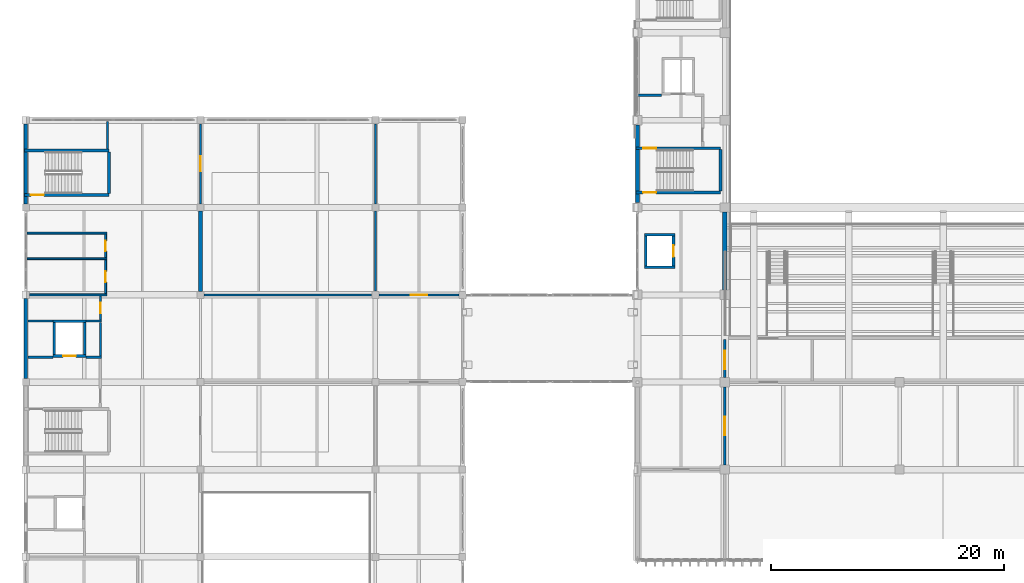
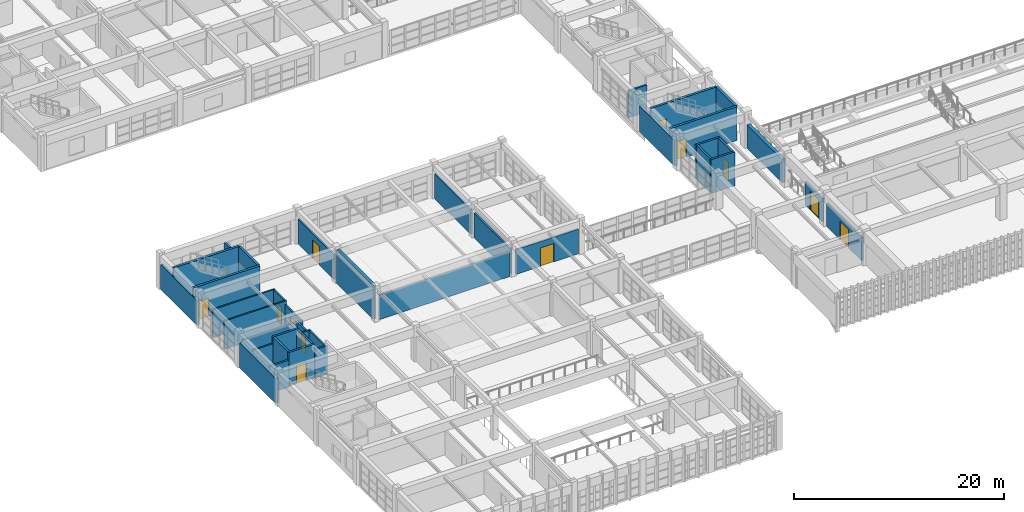
# One storey, part 93 of 124: 39 walls, 12 doors, 12 openings.
"""IFC4 building model written with IfcOpenShell, lengths in metres."""

from ifc_helpers import new_model, si_unit, direction, frame, frame_2d, origin, place, context, subcontext, project, spatial, rectangle, extrude, material, layer, layer_set, type_object, element, fill, save


model = new_model("IFC4")

# Units and contexts
model_context = context("Model", 3, precision=1e-05, world=origin(), true_north=direction((0.0, 1.0)))
body_context = subcontext(model_context, "Body", "Model", "MODEL_VIEW")
ifc_project = project(units=[si_unit("LENGTHUNIT", "METRE"), si_unit("AREAUNIT", "SQUARE_METRE"), si_unit("VOLUMEUNIT", "CUBIC_METRE"), si_unit("PLANEANGLEUNIT", "RADIAN"), si_unit("MASSUNIT", "GRAM", prefix="KILO")], contexts=[model_context])

# Site, building, storey
site_placement = place(None, origin())
site = spatial("IfcSite", under=ifc_project, at=site_placement, CompositionType="ELEMENT")
building_placement = place(site_placement, origin())
building = spatial("IfcBuilding", under=site, at=building_placement, Name="Qasida Concert Hall", CompositionType="ELEMENT")
storey_placement = place(building_placement, frame((0.0, 0.0, 9.0)))
storey = spatial("IfcBuildingStorey", under=building, at=storey_placement, Name="L02", CompositionType="ELEMENT", Elevation=9.0)

# Walls
ifc_material_1 = material(Name="Concrete C40/50", Category="concrete")
ifc_layer_1 = layer(ifc_material_1, 0.219970703125, Name="Concrete C40/50")
ifc_layer_set_1 = layer_set([ifc_layer_1], Name="Concrete C40/50")
wall_type_1 = type_object("IfcWallType", Name="WL-CW-220", PredefinedType="SOLIDWALL", material=ifc_layer_set_1)
for number, where, z_axis, x_axis, name in (
    (1, (53.090087890625, 39.85009765625, 0.0), (0.0, 0.0, 1.0), (1.0, 0.0, 0.0), "L02 LF-01 lift shaft wall S"),
    (2, (53.090087890625, 42.64990234375, 0.0), (0.0, 0.0, 1.0), (1.0, 0.0, 0.0), "L02 LF-01 lift shaft wall N"),
):
    element("IfcWall", number, at=place(storey_placement, frame(where, z_axis=z_axis, x_axis=x_axis)), inside=storey, type_object=wall_type_1, Name=name, PredefinedType="SOLIDWALL", context=body_context, shape_type="SweptSolid", body=[
        extrude(rectangle(XDim=2.619873046875, YDim=0.219970703125, at=frame_2d((1.31005859375, 0.0))), origin(), (0.0, 0.0, 1.0), 3.919921875),
    ])
wall_1_placement = place(storey_placement, frame((53.199951171875, 39.9599609375, 0.0), z_axis=(0.0, 0.0, 1.0), x_axis=(0.0, 1.0, 0.0)))
element("IfcWall", 3, at=wall_1_placement, inside=storey, type_object=wall_type_1, Name="L02 LF-01 lift shaft wall W", PredefinedType="SOLIDWALL", context=body_context, shape_type="SweptSolid", body=[
    extrude(rectangle(XDim=2.580078125, YDim=0.219970703125, at=frame_2d((1.2900390625, 0.0))), origin(), (0.0, 0.0, 1.0), 3.919921875),
])

# Wall, opening, door
wall_2_placement = place(storey_placement, frame((55.60009765625, 39.9599609375, 0.0), z_axis=(0.0, 0.0, 1.0), x_axis=(0.0, 1.0, 0.0)))
wall_2 = element("IfcWall", 4, at=wall_2_placement, inside=storey, type_object=wall_type_1, Name="L02 LF-01 lift shaft wall E", PredefinedType="SOLIDWALL", context=body_context, shape_type="SweptSolid", body=[
    extrude(rectangle(XDim=2.580078125, YDim=0.219970703125, at=frame_2d((1.2900390625, 0.0))), origin(), (0.0, 0.0, 1.0), 3.919921875),
])
opening_1_placement = place(wall_2_placement, frame((0.7900390625, 0.0, 0.0)))
opening_1 = element("IfcOpeningElement", 5, at=opening_1_placement, cuts=wall_2, Name="Opening LD-100", PredefinedType="OPENING", context=body_context, shape_type="SweptSolid", body=[
    extrude(rectangle(XDim=1.0, YDim=2.14990234375, at=frame_2d((0.5, 1.074951171875))), frame((0.0, 0.119873046875, 0.0), z_axis=(0.0, -1.0, 0.0), x_axis=(1.0, 0.0, 0.0)), (0.0, 0.0, 1.0), 0.239990234375),
])
ifc_material_2 = material(Name="Brushed bronze passenger lift landing door", Category="steel")
door_type_1 = type_object("IfcDoorType", Name="LD-100", OperationType="SLIDING_TO_LEFT", PredefinedType="DOOR", material=ifc_material_2)
door_1_placement = place(opening_1_placement, origin())
door_1 = element("IfcDoor", 6, at=door_1_placement, inside=storey, type_object=door_type_1, Name="Lift landing door LF-01 L02", OperationType="SLIDING_TO_LEFT", OverallHeight=2.14990234375, OverallWidth=1.0, PredefinedType="DOOR", context=body_context, shape_type="SweptSolid", body=[
    extrude(rectangle(XDim=1.0, YDim=2.14990234375, at=frame_2d((0.5, 1.074951171875))), frame((0.0, 0.02490234375, 0.0), z_axis=(0.0, -1.0, 0.0), x_axis=(1.0, 0.0, 0.0)), (0.0, 0.0, 1.0), 0.050048828125),
])
fill(opening_1, door_1)

wall_3_placement = place(storey_placement, frame((2.340087890625, 32.25, 0.0), z_axis=(0.0, 0.0, 1.0), x_axis=(1.0, 0.0, 0.0)))
wall_3 = element("IfcWall", 7, at=wall_3_placement, inside=storey, type_object=wall_type_1, Name="L02 LF-06 lift shaft wall S", PredefinedType="SOLIDWALL", context=body_context, shape_type="SweptSolid", body=[
    extrude(rectangle(XDim=2.81982421875, YDim=0.219970703125, at=frame_2d((1.409912109375, 0.0))), origin(), (0.0, 0.0, 1.0), 3.919921875),
])
opening_2_placement = place(wall_3_placement, frame((0.860107421875, 0.0, 0.0)))
opening_2 = element("IfcOpeningElement", 8, at=opening_2_placement, cuts=wall_3, Name="Opening LD-110", PredefinedType="OPENING", context=body_context, shape_type="SweptSolid", body=[
    extrude(rectangle(XDim=1.10009765625, YDim=2.14990234375, at=frame_2d((0.550048828125, 1.074951171875))), frame((0.0, 0.119873046875, 0.0), z_axis=(0.0, -1.0, 0.0), x_axis=(1.0, 0.0, 0.0)), (0.0, 0.0, 1.0), 0.239990234375),
])
ifc_material_3 = material(Name="Firefighting lift sliding landing door", Category="steel")
door_type_2 = type_object("IfcDoorType", Name="LD-110", OperationType="SLIDING_TO_LEFT", PredefinedType="DOOR", material=ifc_material_3)
door_2_placement = place(opening_2_placement, origin())
door_2 = element("IfcDoor", 9, at=door_2_placement, inside=storey, type_object=door_type_2, Name="Lift landing door LF-06 L02", OperationType="SLIDING_TO_LEFT", OverallHeight=2.14990234375, OverallWidth=1.10009765625, PredefinedType="DOOR", context=body_context, shape_type="SweptSolid", body=[
    extrude(rectangle(XDim=1.10009765625, YDim=2.14990234375, at=frame_2d((0.550048828125, 1.074951171875))), frame((0.0, 0.02490234375, 0.0), z_axis=(0.0, -1.0, 0.0), x_axis=(1.0, 0.0, 0.0)), (0.0, 0.0, 1.0), 0.050048828125),
])
fill(opening_2, door_2)

# Walls
wall_4_placement = place(storey_placement, frame((2.340087890625, 35.25, 0.0), z_axis=(0.0, 0.0, 1.0), x_axis=(1.0, 0.0, 0.0)))
element("IfcWall", 10, at=wall_4_placement, inside=storey, type_object=wall_type_1, Name="L02 LF-06 lift shaft wall N", PredefinedType="SOLIDWALL", context=body_context, shape_type="SweptSolid", body=[
    extrude(rectangle(XDim=2.81982421875, YDim=0.219970703125, at=frame_2d((1.409912109375, 0.0))), origin(), (0.0, 0.0, 1.0), 3.919921875),
])
for number, where, z_axis, x_axis, name in (
    (11, (2.449951171875, 32.360107421875, 0.0), (0.0, 0.0, 1.0), (0.0, 1.0, 0.0), "L02 LF-06 lift shaft wall W"),
    (12, (5.050048828125, 32.360107421875, 0.0), (0.0, 0.0, 1.0), (0.0, 1.0, 0.0), "L02 LF-06 lift shaft wall E"),
):
    element("IfcWall", number, at=place(storey_placement, frame(where, z_axis=z_axis, x_axis=x_axis)), inside=storey, type_object=wall_type_1, Name=name, PredefinedType="SOLIDWALL", context=body_context, shape_type="SweptSolid", body=[
        extrude(rectangle(XDim=2.77978515625, YDim=0.219970703125, at=frame_2d((1.389892578125, 0.0))), origin(), (0.0, 0.0, 1.0), 3.919921875),
    ])

# Wall, opening, door
ifc_layer_2 = layer(ifc_material_1, 0.25, Name="Concrete C40/50")
ifc_layer_set_2 = layer_set([ifc_layer_2], Name="Concrete C40/50")
wall_type_2 = type_object("IfcWallType", Name="WL-CW-250", PredefinedType="SOLIDWALL", material=ifc_layer_set_2)
wall_5_placement = place(storey_placement, frame((52.3798828125, 46.27490234375, 0.0), z_axis=(0.0, 0.0, 1.0), x_axis=(1.0, 0.0, 0.0)))
wall_5 = element("IfcWall", 13, at=wall_5_placement, inside=storey, type_object=wall_type_2, Name="L02 ST-01 stairwell wall S", PredefinedType="SOLIDWALL", context=body_context, shape_type="SweptSolid", body=[
    extrude(rectangle(XDim=7.260009765625, YDim=0.25, at=frame_2d((3.6298828125, 0.0))), origin(), (0.0, 0.0, 1.0), 3.919921875),
])
opening_3_placement = place(wall_5_placement, frame((0.6201171875, 0.0, 0.0)))
opening_3 = element("IfcOpeningElement", 14, at=opening_3_placement, cuts=wall_5, Name="Opening FD-110", PredefinedType="OPENING", context=body_context, shape_type="SweptSolid", body=[
    extrude(rectangle(XDim=1.10009765625, YDim=2.14990234375, at=frame_2d((0.550048828125, 1.074951171875))), frame((0.0, 0.135009765625, 0.0), z_axis=(0.0, -1.0, 0.0), x_axis=(1.0, 0.0, 0.0)), (0.0, 0.0, 1.0), 0.27001953125),
])
ifc_material_4 = material(Name="Steel fire-rated stair/lobby door set", Category="steel")
door_type_3 = type_object("IfcDoorType", Name="FD-110", OperationType="NOTDEFINED", PredefinedType="DOOR", material=ifc_material_4)
door_3_placement = place(opening_3_placement, origin())
door_3 = element("IfcDoor", 15, at=door_3_placement, inside=storey, type_object=door_type_3, Name="L02 ST-01 rated stair door", OperationType="SINGLE_SWING_LEFT", OverallHeight=2.14990234375, OverallWidth=1.10009765625, PredefinedType="DOOR", context=body_context, shape_type="SweptSolid", body=[
    extrude(rectangle(XDim=1.10009765625, YDim=2.14990234375, at=frame_2d((0.550048828125, 1.074951171875))), frame((0.0, 0.02490234375, 0.0), z_axis=(0.0, -1.0, 0.0), x_axis=(1.0, 0.0, 0.0)), (0.0, 0.0, 1.0), 0.050048828125),
])
fill(opening_3, door_3)

wall_6_placement = place(storey_placement, frame((52.3798828125, 50.0849609375, 0.0), z_axis=(0.0, 0.0, 1.0), x_axis=(1.0, 0.0, 0.0)))
wall_6 = element("IfcWall", 16, at=wall_6_placement, inside=storey, type_object=wall_type_2, Name="L02 ST-01 stairwell wall N", PredefinedType="SOLIDWALL", context=body_context, shape_type="SweptSolid", body=[
    extrude(rectangle(XDim=7.260009765625, YDim=0.25, at=frame_2d((3.6298828125, 0.0))), origin(), (0.0, 0.0, 1.0), 3.919921875),
])
opening_4_placement = place(wall_6_placement, frame((0.6201171875, 0.0, 0.0)))
opening_4 = element("IfcOpeningElement", 17, at=opening_4_placement, cuts=wall_6, Name="Opening FD-110", PredefinedType="OPENING", context=body_context, shape_type="SweptSolid", body=[
    extrude(rectangle(XDim=1.10009765625, YDim=2.14990234375, at=frame_2d((0.550048828125, 1.074951171875))), frame((0.0, 0.135009765625, 0.0), z_axis=(0.0, -1.0, 0.0), x_axis=(1.0, 0.0, 0.0)), (0.0, 0.0, 1.0), 0.27001953125),
])
door_4_placement = place(opening_4_placement, frame((1.10009765625, 0.0, 0.0), z_axis=(0.0, 0.0, 1.0), x_axis=(-1.0, 0.0, 0.0)))
door_4 = element("IfcDoor", 18, at=door_4_placement, inside=storey, type_object=door_type_3, Name="L02 ST-01 rated stair door", OperationType="SINGLE_SWING_RIGHT", OverallHeight=2.14990234375, OverallWidth=1.10009765625, PredefinedType="DOOR", context=body_context, shape_type="SweptSolid", body=[
    extrude(rectangle(XDim=1.10009765625, YDim=2.14990234375, at=frame_2d((0.550048828125, 1.074951171875))), frame((0.0, 0.02490234375, 0.0), z_axis=(0.0, -1.0, 0.0), x_axis=(1.0, 0.0, 0.0)), (0.0, 0.0, 1.0), 0.050048828125),
])
fill(opening_4, door_4)

# Wall
wall_7_placement = place(storey_placement, frame((59.64501953125, 46.39990234375, 0.0), z_axis=(0.0, 0.0, 1.0), x_axis=(0.0, 1.0, 0.0)))
element("IfcWall", 19, at=wall_7_placement, inside=storey, type_object=wall_type_2, Name="L02 ST-01 stairwell wall E", PredefinedType="SOLIDWALL", context=body_context, shape_type="SweptSolid", body=[
    extrude(rectangle(XDim=3.56005859375, YDim=0.25, at=frame_2d((1.780029296875, 0.0))), origin(), (0.0, 0.0, 1.0), 3.919921875),
])

# Wall, opening, door
wall_8_placement = place(storey_placement, frame((-0.1201171875, 46.074951171875, 0.0), z_axis=(0.0, 0.0, 1.0), x_axis=(1.0, 0.0, 0.0)))
wall_8 = element("IfcWall", 20, at=wall_8_placement, inside=storey, type_object=wall_type_2, Name="L02 ST-04 stairwell wall S", PredefinedType="SOLIDWALL", context=body_context, shape_type="SweptSolid", body=[
    extrude(rectangle(XDim=7.260009765625, YDim=0.25, at=frame_2d((3.6298828125, 0.0))), origin(), (0.0, 0.0, 1.0), 3.919921875),
])
opening_5_placement = place(wall_8_placement, frame((0.56005859375, 0.0, 0.0)))
opening_5 = element("IfcOpeningElement", 21, at=opening_5_placement, cuts=wall_8, Name="Opening FD-110", PredefinedType="OPENING", context=body_context, shape_type="SweptSolid", body=[
    extrude(rectangle(XDim=1.10009765625, YDim=2.14990234375, at=frame_2d((0.550048828125, 1.074951171875))), frame((0.0, 0.135009765625, 0.0), z_axis=(0.0, -1.0, 0.0), x_axis=(1.0, 0.0, 0.0)), (0.0, 0.0, 1.0), 0.27001953125),
])
door_5_placement = place(opening_5_placement, origin())
door_5 = element("IfcDoor", 22, at=door_5_placement, inside=storey, type_object=door_type_3, Name="L02 ST-04 rated stair door", OperationType="SINGLE_SWING_RIGHT", OverallHeight=2.14990234375, OverallWidth=1.10009765625, PredefinedType="DOOR", context=body_context, shape_type="SweptSolid", body=[
    extrude(rectangle(XDim=1.10009765625, YDim=2.14990234375, at=frame_2d((0.550048828125, 1.074951171875))), frame((0.0, 0.02490234375, 0.0), z_axis=(0.0, -1.0, 0.0), x_axis=(1.0, 0.0, 0.0)), (0.0, 0.0, 1.0), 0.050048828125),
])
fill(opening_5, door_5)

# Walls
wall_9_placement = place(storey_placement, frame((-0.1201171875, 49.885009765625, 0.0), z_axis=(0.0, 0.0, 1.0), x_axis=(1.0, 0.0, 0.0)))
element("IfcWall", 23, at=wall_9_placement, inside=storey, type_object=wall_type_2, Name="L02 ST-04 stairwell wall N", PredefinedType="SOLIDWALL", context=body_context, shape_type="SweptSolid", body=[
    extrude(rectangle(XDim=7.260009765625, YDim=0.25, at=frame_2d((3.6298828125, 0.0))), origin(), (0.0, 0.0, 1.0), 3.919921875),
])
wall_10_placement = place(storey_placement, frame((7.14501953125, 46.199951171875, 0.0), z_axis=(0.0, 0.0, 1.0), x_axis=(0.0, 1.0, 0.0)))
element("IfcWall", 24, at=wall_10_placement, inside=storey, type_object=wall_type_2, Name="L02 ST-04 stairwell wall E", PredefinedType="SOLIDWALL", context=body_context, shape_type="SweptSolid", body=[
    extrude(rectangle(XDim=3.56005859375, YDim=0.25, at=frame_2d((1.780029296875, 0.0))), origin(), (0.0, 0.0, 1.0), 3.919921875),
])
ifc_material_5 = material(Name="Precast concrete C40/50", Category="concrete")
ifc_layer_3 = layer(ifc_material_5, 0.320068359375, Name="Precast concrete C40/50")
ifc_layer_set_3 = layer_set([ifc_layer_3], Name="Precast concrete C40/50")
wall_type_3 = type_object("IfcWallType", Name="WL-EW-320", PredefinedType="SOLIDWALL", material=ifc_layer_set_3)
wall_11_placement = place(storey_placement, frame((52.5, 45.4150390625, 0.0), z_axis=(0.0, 0.0, 1.0), x_axis=(0.0, 1.0, 0.0)))
element("IfcWall", 25, at=wall_11_placement, inside=storey, type_object=wall_type_3, Name="L02 exterior wall EW-320 0048", PredefinedType="SOLIDWALL", context=body_context, shape_type="SweptSolid", body=[
    extrude(rectangle(XDim=6.669921875, YDim=0.320068359375, at=frame_2d((3.3349609375, 0.0))), origin(), (0.0, 0.0, 1.0), 2.969970703125),
])
for number, where, z_axis, x_axis, name in (
    (26, (0.0, 30.31494140625, 0.0), (0.0, 0.0, 1.0), (0.0, 1.0, 0.0), "L02 exterior wall EW-320 0131"),
    (27, (0.0, 45.31494140625, 0.0), (0.0, 0.0, 1.0), (0.0, 1.0, 0.0), "L02 exterior wall EW-320 0132"),
):
    element("IfcWall", number, at=place(storey_placement, frame(where, z_axis=z_axis, x_axis=x_axis)), inside=storey, type_object=wall_type_3, Name=name, PredefinedType="SOLIDWALL", context=body_context, shape_type="SweptSolid", body=[
        extrude(rectangle(XDim=6.8701171875, YDim=0.320068359375, at=frame_2d((3.43505859375, 0.0))), origin(), (0.0, 0.0, 1.0), 2.8701171875),
    ])
ifc_material_6 = material(Name="Moisture-resistant gypsum partition", Category="gypsum")
ifc_layer_4 = layer(ifc_material_6, 0.159912109375, Name="Moisture-resistant gypsum partition")
ifc_layer_set_4 = layer_set([ifc_layer_4], Name="Moisture-resistant gypsum partition")
wall_type_4 = type_object("IfcWallType", Name="WL-PW-160", PredefinedType="PARTITIONING", material=ifc_layer_set_4)
wall_12_placement = place(storey_placement, frame((0.31396484375, 37.5, 0.0), z_axis=(0.0, 0.0, 1.0), x_axis=(1.0, 0.0, 0.0)))
element("IfcWall", 28, at=wall_12_placement, inside=storey, type_object=wall_type_4, Name="L02 partition PW-160 0136", PredefinedType="PARTITIONING", context=body_context, shape_type="SweptSolid", body=[
    extrude(rectangle(XDim=6.635986328125, YDim=0.159912109375, at=frame_2d((3.31787109375, 0.0))), origin(), (0.0, 0.0, 1.0), 2.8701171875),
])
for number, where, z_axis, x_axis, name in (
    (29, (0.112060546875, 40.60009765625, 0.0), (0.0, 0.0, 1.0), (1.0, 0.0, 0.0), "L02 partition PW-160 0140"),
    (30, (0.112060546875, 42.800048828125, 0.0), (0.0, 0.0, 1.0), (1.0, 0.0, 0.0), "L02 partition PW-160 0141"),
):
    element("IfcWall", number, at=place(storey_placement, frame(where, z_axis=z_axis, x_axis=x_axis)), inside=storey, type_object=wall_type_4, Name=name, PredefinedType="PARTITIONING", context=body_context, shape_type="SweptSolid", body=[
        extrude(rectangle(XDim=6.837890625, YDim=0.159912109375, at=frame_2d((3.4189453125, 0.0))), origin(), (0.0, 0.0, 1.0), 3.27001953125),
    ])

# Wall, opening, door
wall_13_placement = place(storey_placement, frame((6.85009765625, 37.593994140625, 0.0), z_axis=(0.0, 0.0, 1.0), x_axis=(0.0, 1.0, 0.0)))
wall_13 = element("IfcWall", 31, at=wall_13_placement, inside=storey, type_object=wall_type_4, Name="L02 partition PW-160 0142", PredefinedType="PARTITIONING", context=body_context, shape_type="SweptSolid", body=[
    extrude(rectangle(XDim=2.912109375, YDim=0.159912109375, at=frame_2d((1.4560546875, 0.0))), origin(), (0.0, 0.0, 1.0), 2.8701171875),
])
opening_6_placement = place(wall_13_placement, frame((0.98095703125, 0.0, 0.0)))
opening_6 = element("IfcOpeningElement", 32, at=opening_6_placement, cuts=wall_13, Name="Opening ID-095", PredefinedType="OPENING", context=body_context, shape_type="SweptSolid", body=[
    extrude(rectangle(XDim=0.949951171875, YDim=2.10009765625, at=frame_2d((0.47509765625, 1.050048828125))), frame((0.0, 0.08984375, 0.0), z_axis=(0.0, -1.0, 0.0), x_axis=(1.0, 0.0, 0.0)), (0.0, 0.0, 1.0), 0.179931640625),
])
ifc_material_7 = material(Name="Quarter-sawn oak accessible WC door", Category="wood")
door_type_4 = type_object("IfcDoorType", Name="ID-095", OperationType="NOTDEFINED", PredefinedType="DOOR", material=ifc_material_7)
door_6_placement = place(opening_6_placement, origin())
door_6 = element("IfcDoor", 33, at=door_6_placement, inside=storey, type_object=door_type_4, Name="L02 Accessible WC door", OperationType="SINGLE_SWING_RIGHT", OverallHeight=2.10009765625, OverallWidth=0.949951171875, PredefinedType="DOOR", context=body_context, shape_type="SweptSolid", body=[
    extrude(rectangle(XDim=0.949951171875, YDim=2.10009765625, at=frame_2d((0.47509765625, 1.050048828125))), frame((0.0, 0.02490234375, 0.0), z_axis=(0.0, -1.0, 0.0), x_axis=(1.0, 0.0, 0.0)), (0.0, 0.0, 1.0), 0.050048828125),
])
fill(opening_6, door_6)

wall_14_placement = place(storey_placement, frame((6.85009765625, 40.694091796875, 0.0), z_axis=(0.0, 0.0, 1.0), x_axis=(0.0, 1.0, 0.0)))
wall_14 = element("IfcWall", 34, at=wall_14_placement, inside=storey, type_object=wall_type_4, Name="L02 partition PW-160 0143", PredefinedType="PARTITIONING", context=body_context, shape_type="SweptSolid", body=[
    extrude(rectangle(XDim=2.011962890625, YDim=0.159912109375, at=frame_2d((1.005859375, 0.0))), origin(), (0.0, 0.0, 1.0), 3.27001953125),
])
opening_7_placement = place(wall_14_placement, frame((0.555908203125, 0.0, 0.0)))
opening_7 = element("IfcOpeningElement", 35, at=opening_7_placement, cuts=wall_14, Name="Opening ID-090", PredefinedType="OPENING", context=body_context, shape_type="SweptSolid", body=[
    extrude(rectangle(XDim=0.89990234375, YDim=2.10009765625, at=frame_2d((0.449951171875, 1.050048828125))), frame((0.0, 0.08984375, 0.0), z_axis=(0.0, -1.0, 0.0), x_axis=(1.0, 0.0, 0.0)), (0.0, 0.0, 1.0), 0.179931640625),
])
ifc_material_8 = material(Name="Quarter-sawn oak flush room door", Category="wood")
door_type_5 = type_object("IfcDoorType", Name="ID-090", OperationType="NOTDEFINED", PredefinedType="DOOR", material=ifc_material_8)
door_7_placement = place(opening_7_placement, origin())
door_7 = element("IfcDoor", 36, at=door_7_placement, inside=storey, type_object=door_type_5, Name="L02 Family care suite door", OperationType="SINGLE_SWING_LEFT", OverallHeight=2.10009765625, OverallWidth=0.89990234375, PredefinedType="DOOR", context=body_context, shape_type="SweptSolid", body=[
    extrude(rectangle(XDim=0.89990234375, YDim=2.10009765625, at=frame_2d((0.449951171875, 1.050048828125))), frame((0.0, 0.02490234375, 0.0), z_axis=(0.0, -1.0, 0.0), x_axis=(1.0, 0.0, 0.0)), (0.0, 0.0, 1.0), 0.050048828125),
])
fill(opening_7, door_7)

# Walls
ifc_material_9 = material(Name="Acoustic metal-stud gypsum partition", Category="gypsum")
ifc_layer_5 = layer(ifc_material_9, 0.179931640625, Name="Acoustic metal-stud gypsum partition")
ifc_layer_set_5 = layer_set([ifc_layer_5], Name="Acoustic metal-stud gypsum partition")
wall_type_5 = type_object("IfcWallType", Name="WL-PW-180", PredefinedType="PARTITIONING", material=ifc_layer_set_5)
wall_15_placement = place(storey_placement, frame((0.174072265625, 35.25, 0.0), z_axis=(0.0, 0.0, 1.0), x_axis=(1.0, 0.0, 0.0)))
element("IfcWall", 37, at=wall_15_placement, inside=storey, type_object=wall_type_5, Name="L02 partition PW-180 0134", PredefinedType="PARTITIONING", context=body_context, shape_type="SweptSolid", body=[
    extrude(rectangle(XDim=2.166015625, YDim=0.179931640625, at=frame_2d((1.0830078125, 0.0))), origin(), (0.0, 0.0, 1.0), 3.1201171875),
])
wall_16_placement = place(storey_placement, frame((5.159912109375, 35.25, 0.0), z_axis=(0.0, 0.0, 1.0), x_axis=(1.0, 0.0, 0.0)))
element("IfcWall", 38, at=wall_16_placement, inside=storey, type_object=wall_type_5, Name="L02 partition PW-180 0135", PredefinedType="PARTITIONING", context=body_context, shape_type="SweptSolid", body=[
    extrude(rectangle(XDim=1.340087890625, YDim=0.179931640625, at=frame_2d((0.669921875, 0.0))), origin(), (0.0, 0.0, 1.0), 3.27001953125),
])
wall_17_placement = place(storey_placement, frame((6.39990234375, 32.243896484375, 0.0), z_axis=(0.0, 0.0, 1.0), x_axis=(0.0, 1.0, 0.0)))
element("IfcWall", 39, at=wall_17_placement, inside=storey, type_object=wall_type_5, Name="L02 partition PW-180 0137", PredefinedType="PARTITIONING", context=body_context, shape_type="SweptSolid", body=[
    extrude(rectangle(XDim=2.902099609375, YDim=0.179931640625, at=frame_2d((1.451171875, 0.0))), origin(), (0.0, 0.0, 1.0), 3.27001953125),
])

# Wall, opening, door
wall_18_placement = place(storey_placement, frame((6.39990234375, 35.35400390625, 0.0), z_axis=(0.0, 0.0, 1.0), x_axis=(0.0, 1.0, 0.0)))
wall_18 = element("IfcWall", 40, at=wall_18_placement, inside=storey, type_object=wall_type_5, Name="L02 partition PW-180 0138", PredefinedType="PARTITIONING", context=body_context, shape_type="SweptSolid", body=[
    extrude(rectangle(XDim=2.052001953125, YDim=0.179931640625, at=frame_2d((1.02587890625, 0.0))), origin(), (0.0, 0.0, 1.0), 2.8701171875),
])
opening_8_placement = place(wall_18_placement, frame((0.5458984375, 0.0, 0.0)))
opening_8 = element("IfcOpeningElement", 41, at=opening_8_placement, cuts=wall_18, Name="Opening ID-090", PredefinedType="OPENING", context=body_context, shape_type="SweptSolid", body=[
    extrude(rectangle(XDim=0.89990234375, YDim=2.10009765625, at=frame_2d((0.449951171875, 1.050048828125))), frame((0.0, 0.099853515625, 0.0), z_axis=(0.0, -1.0, 0.0), x_axis=(1.0, 0.0, 0.0)), (0.0, 0.0, 1.0), 0.199951171875),
])
door_8_placement = place(opening_8_placement, origin())
door_8 = element("IfcDoor", 42, at=door_8_placement, inside=storey, type_object=door_type_5, Name="L02 Custodial service room door", OperationType="SINGLE_SWING_LEFT", OverallHeight=2.10009765625, OverallWidth=0.89990234375, PredefinedType="DOOR", context=body_context, shape_type="SweptSolid", body=[
    extrude(rectangle(XDim=0.89990234375, YDim=2.10009765625, at=frame_2d((0.449951171875, 1.050048828125))), frame((0.0, 0.02490234375, 0.0), z_axis=(0.0, -1.0, 0.0), x_axis=(1.0, 0.0, 0.0)), (0.0, 0.0, 1.0), 0.050048828125),
])
fill(opening_8, door_8)

# Walls
wall_19_placement = place(storey_placement, frame((7.02001953125, 50.02392578125, 0.0), z_axis=(0.0, 0.0, 1.0), x_axis=(0.0, 1.0, 0.0)))
element("IfcWall", 43, at=wall_19_placement, inside=storey, type_object=wall_type_5, Name="L02 partition PW-180 0139", PredefinedType="PARTITIONING", context=body_context, shape_type="SweptSolid", body=[
    extrude(rectangle(XDim=2.364013671875, YDim=0.179931640625, at=frame_2d((1.18212890625, 0.0))), origin(), (0.0, 0.0, 1.0), 2.8701171875),
])
wall_20_placement = place(storey_placement, frame((15.31396484375, 37.5, 0.0), z_axis=(0.0, 0.0, 1.0), x_axis=(1.0, 0.0, 0.0)))
element("IfcWall", 44, at=wall_20_placement, inside=storey, type_object=wall_type_5, Name="L02 partition PW-180 0204", PredefinedType="PARTITIONING", context=body_context, shape_type="SweptSolid", body=[
    extrude(rectangle(XDim=14.3720703125, YDim=0.179931640625, at=frame_2d((7.18603515625, 0.0))), origin(), (0.0, 0.0, 1.0), 2.8701171875),
])

# Wall, opening, door
wall_21_placement = place(storey_placement, frame((30.31396484375, 37.5, 0.0), z_axis=(0.0, 0.0, 1.0), x_axis=(1.0, 0.0, 0.0)))
wall_21 = element("IfcWall", 45, at=wall_21_placement, inside=storey, type_object=wall_type_5, Name="L02 partition PW-180 0205", PredefinedType="PARTITIONING", context=body_context, shape_type="SweptSolid", body=[
    extrude(rectangle(XDim=6.8720703125, YDim=0.179931640625, at=frame_2d((3.43603515625, 0.0))), origin(), (0.0, 0.0, 1.0), 2.8701171875),
])
opening_9_placement = place(wall_21_placement, frame((2.7109375, 0.0, 0.0)))
opening_9 = element("IfcOpeningElement", 46, at=opening_9_placement, cuts=wall_21, Name="Opening ID-145", PredefinedType="OPENING", context=body_context, shape_type="SweptSolid", body=[
    extrude(rectangle(XDim=1.449951171875, YDim=2.14990234375, at=frame_2d((0.72509765625, 1.074951171875))), frame((0.0, 0.099853515625, 0.0), z_axis=(0.0, -1.0, 0.0), x_axis=(1.0, 0.0, 0.0)), (0.0, 0.0, 1.0), 0.199951171875),
])
ifc_material_10 = material(Name="Bronze-framed glazed education door", Category="aluminium")
door_type_6 = type_object("IfcDoorType", Name="ID-145", OperationType="NOTDEFINED", PredefinedType="DOOR", material=ifc_material_10)
door_9_placement = place(opening_9_placement, origin())
door_9 = element("IfcDoor", 47, at=door_9_placement, inside=storey, type_object=door_type_6, Name="L02 Education room 2 door", OperationType="SINGLE_SWING_RIGHT", OverallHeight=2.14990234375, OverallWidth=1.449951171875, PredefinedType="DOOR", context=body_context, shape_type="SweptSolid", body=[
    extrude(rectangle(XDim=1.449951171875, YDim=2.14990234375, at=frame_2d((0.72509765625, 1.074951171875))), frame((0.0, 0.02490234375, 0.0), z_axis=(0.0, -1.0, 0.0), x_axis=(1.0, 0.0, 0.0)), (0.0, 0.0, 1.0), 0.050048828125),
])
fill(opening_9, door_9)

# Walls
for number, where, z_axis, x_axis, name in (
    (48, (30.0, 37.81396484375, 0.0), (0.0, 0.0, 1.0), (0.0, 1.0, 0.0), "L02 partition PW-180 0208"),
    (49, (30.0, 45.31396484375, 0.0), (0.0, 0.0, 1.0), (0.0, 1.0, 0.0), "L02 partition PW-180 0209"),
):
    element("IfcWall", number, at=place(storey_placement, frame(where, z_axis=z_axis, x_axis=x_axis)), inside=storey, type_object=wall_type_5, Name=name, PredefinedType="PARTITIONING", context=body_context, shape_type="SweptSolid", body=[
        extrude(rectangle(XDim=6.8720703125, YDim=0.179931640625, at=frame_2d((3.43603515625, 0.0))), origin(), (0.0, 0.0, 1.0), 2.8701171875),
    ])

# Wall, opening, door
wall_22_placement = place(storey_placement, frame((15.0, 45.31396484375, 0.0), z_axis=(0.0, 0.0, 1.0), x_axis=(0.0, 1.0, 0.0)))
wall_22 = element("IfcWall", 50, at=wall_22_placement, inside=storey, type_object=wall_type_5, Name="L02 partition PW-180 0213", PredefinedType="PARTITIONING", context=body_context, shape_type="SweptSolid", body=[
    extrude(rectangle(XDim=6.8720703125, YDim=0.179931640625, at=frame_2d((3.43603515625, 0.0))), origin(), (0.0, 0.0, 1.0), 2.8701171875),
])
opening_10_placement = place(wall_22_placement, frame((2.785888671875, 0.0, 0.0)))
opening_10 = element("IfcOpeningElement", 51, at=opening_10_placement, cuts=wall_22, Name="Opening ID-130", PredefinedType="OPENING", context=body_context, shape_type="SweptSolid", body=[
    extrude(rectangle(XDim=1.300048828125, YDim=2.14990234375, at=frame_2d((0.64990234375, 1.074951171875))), frame((0.0, 0.099853515625, 0.0), z_axis=(0.0, -1.0, 0.0), x_axis=(1.0, 0.0, 0.0)), (0.0, 0.0, 1.0), 0.199951171875),
])
ifc_material_11 = material(Name="Bronze-framed glazed salon door", Category="aluminium")
door_type_7 = type_object("IfcDoorType", Name="ID-130", OperationType="NOTDEFINED", PredefinedType="DOOR", material=ifc_material_11)
door_10_placement = place(opening_10_placement, origin())
door_10 = element("IfcDoor", 52, at=door_10_placement, inside=storey, type_object=door_type_7, Name="L02 Youth orchestra studio door", OperationType="SINGLE_SWING_LEFT", OverallHeight=2.14990234375, OverallWidth=1.300048828125, PredefinedType="DOOR", context=body_context, shape_type="SweptSolid", body=[
    extrude(rectangle(XDim=1.300048828125, YDim=2.14990234375, at=frame_2d((0.64990234375, 1.074951171875))), frame((0.0, 0.02490234375, 0.0), z_axis=(0.0, -1.0, 0.0), x_axis=(1.0, 0.0, 0.0)), (0.0, 0.0, 1.0), 0.050048828125),
])
fill(opening_10, door_10)

# Walls
ifc_material_12 = material(Name="Acoustic gypsum block and mineral wool", Category="gypsum")
ifc_layer_6 = layer(ifc_material_12, 0.199951171875, Name="Acoustic gypsum block and mineral wool")
ifc_layer_set_6 = layer_set([ifc_layer_6], Name="Acoustic gypsum block and mineral wool")
wall_type_6 = type_object("IfcWallType", Name="WL-PW-200", PredefinedType="PARTITIONING", material=ifc_layer_set_6)
wall_23_placement = place(storey_placement, frame((52.56005859375, 54.6298828125, 0.0), z_axis=(0.0, 0.0, 1.0), x_axis=(1.0, 0.0, 0.0)))
element("IfcWall", 53, at=wall_23_placement, inside=storey, type_object=wall_type_6, Name="L02 LF-03 firefighting lobby return wall", PredefinedType="PARTITIONING", context=body_context, shape_type="SweptSolid", body=[
    extrude(rectangle(XDim=2.014892578125, YDim=0.199951171875, at=frame_2d((1.00732421875, 0.0))), origin(), (0.0, 0.0, 1.0), 3.1298828125),
])
wall_24_placement = place(storey_placement, frame((0.179931640625, 32.1298828125, 0.0), z_axis=(0.0, 0.0, 1.0), x_axis=(1.0, 0.0, 0.0)))
element("IfcWall", 54, at=wall_24_placement, inside=storey, type_object=wall_type_6, Name="L02 LF-06 firefighting lobby return wall", PredefinedType="PARTITIONING", context=body_context, shape_type="SweptSolid", body=[
    extrude(rectangle(XDim=2.14501953125, YDim=0.199951171875, at=frame_2d((1.072509765625, 0.0))), origin(), (0.0, 0.0, 1.0), 3.1298828125),
])
wall_25_placement = place(storey_placement, frame((5.175048828125, 32.1298828125, 0.0), z_axis=(0.0, 0.0, 1.0), x_axis=(1.0, 0.0, 0.0)))
element("IfcWall", 55, at=wall_25_placement, inside=storey, type_object=wall_type_6, Name="L02 LF-06 firefighting lobby return wall", PredefinedType="PARTITIONING", context=body_context, shape_type="SweptSolid", body=[
    extrude(rectangle(XDim=1.3349609375, YDim=0.199951171875, at=frame_2d((0.66748046875, 0.0))), origin(), (0.0, 0.0, 1.0), 3.330078125),
])

# Wall, opening, door
wall_26_placement = place(storey_placement, frame((60.0, 22.9140625, 0.0), z_axis=(0.0, 0.0, 1.0), x_axis=(0.0, 1.0, 0.0)))
wall_26 = element("IfcWall", 56, at=wall_26_placement, inside=storey, type_object=wall_type_6, Name="L02 partition PW-200 0468", PredefinedType="PARTITIONING", context=body_context, shape_type="SweptSolid", body=[
    extrude(rectangle(XDim=6.671875, YDim=0.199951171875, at=frame_2d((3.3359375, 0.0))), origin(), (0.0, 0.0, 1.0), 2.68994140625),
])
opening_11_placement = place(wall_26_placement, frame((2.535888671875, 0.0, 0.0)))
opening_11 = element("IfcOpeningElement", 57, at=opening_11_placement, cuts=wall_26, Name="Opening FD-160", PredefinedType="OPENING", context=body_context, shape_type="SweptSolid", body=[
    extrude(rectangle(XDim=1.60009765625, YDim=2.14990234375, at=frame_2d((0.800048828125, 1.074951171875))), frame((0.0, 0.10986328125, 0.0), z_axis=(0.0, -1.0, 0.0), x_axis=(1.0, 0.0, 0.0)), (0.0, 0.0, 1.0), 0.219970703125),
])
ifc_material_13 = material(Name="Double-leaf acoustic fire door", Category="steel")
door_type_8 = type_object("IfcDoorType", Name="FD-160", OperationType="NOTDEFINED", PredefinedType="DOOR", material=ifc_material_13)
door_11_placement = place(opening_11_placement, origin())
door_11 = element("IfcDoor", 58, at=door_11_placement, inside=storey, type_object=door_type_8, Name="L02 L02 balcony foyer west door", OperationType="SINGLE_SWING_RIGHT", OverallHeight=2.14990234375, OverallWidth=1.60009765625, PredefinedType="DOOR", context=body_context, shape_type="SweptSolid", body=[
    extrude(rectangle(XDim=1.60009765625, YDim=2.14990234375, at=frame_2d((0.800048828125, 1.074951171875))), frame((0.0, 0.02490234375, 0.0), z_axis=(0.0, -1.0, 0.0), x_axis=(1.0, 0.0, 0.0)), (0.0, 0.0, 1.0), 0.050048828125),
])
fill(opening_11, door_11)

wall_27_placement = place(storey_placement, frame((60.0, 30.4140625, 0.0), z_axis=(0.0, 0.0, 1.0), x_axis=(0.0, 1.0, 0.0)))
wall_27 = element("IfcWall", 59, at=wall_27_placement, inside=storey, type_object=wall_type_6, Name="L02 partition PW-200 0469", PredefinedType="PARTITIONING", context=body_context, shape_type="SweptSolid", body=[
    extrude(rectangle(XDim=3.251953125, YDim=0.199951171875, at=frame_2d((1.6259765625, 0.0))), origin(), (0.0, 0.0, 1.0), 2.68994140625),
])
opening_12_placement = place(wall_27_placement, frame((0.68603515625, 0.0, 0.0)))
opening_12 = element("IfcOpeningElement", 60, at=opening_12_placement, cuts=wall_27, Name="Opening AD-160", PredefinedType="OPENING", context=body_context, shape_type="SweptSolid", body=[
    extrude(rectangle(XDim=1.60009765625, YDim=2.159912109375, at=frame_2d((0.800048828125, 1.080078125))), frame((0.0, 0.10986328125, 0.0), z_axis=(0.0, -1.0, 0.0), x_axis=(1.0, 0.0, 0.0)), (0.0, 0.0, 1.0), 0.219970703125),
])
ifc_material_14 = material(Name="Double-seal Rw 50 dB rehearsal hall door", Category="wood")
door_type_9 = type_object("IfcDoorType", Name="AD-160", OperationType="NOTDEFINED", PredefinedType="DOOR", material=ifc_material_14)
door_12_placement = place(opening_12_placement, origin())
door_12 = element("IfcDoor", 61, at=door_12_placement, inside=storey, type_object=door_type_9, Name="L02 L02 west balcony vomitory door", OperationType="SINGLE_SWING_LEFT", OverallHeight=2.159912109375, OverallWidth=1.60009765625, PredefinedType="DOOR", context=body_context, shape_type="SweptSolid", body=[
    extrude(rectangle(XDim=1.60009765625, YDim=2.159912109375, at=frame_2d((0.800048828125, 1.080078125))), frame((0.0, 0.02490234375, 0.0), z_axis=(0.0, -1.0, 0.0), x_axis=(1.0, 0.0, 0.0)), (0.0, 0.0, 1.0), 0.050048828125),
])
fill(opening_12, door_12)

# Walls
ifc_layer_7 = layer(ifc_material_1, 0.320068359375, Name="Concrete C40/50")
ifc_layer_set_7 = layer_set([ifc_layer_7], Name="Concrete C40/50")
wall_type_7 = type_object("IfcWallType", Name="WL-SW-320", PredefinedType="SHEAR", material=ifc_layer_set_7)
wall_28_placement = place(storey_placement, frame((15.0, 37.800048828125, 0.0), z_axis=(0.0, 0.0, 1.0), x_axis=(0.0, 1.0, 0.0)))
element("IfcWall", 62, at=wall_28_placement, inside=storey, type_object=wall_type_7, Name="L02 V3 foyer shear wall 0026", PredefinedType="SHEAR", context=body_context, shape_type="SweptSolid", body=[
    extrude(rectangle(XDim=6.89990234375, YDim=0.320068359375, at=frame_2d((3.449951171875, 0.0))), origin(), (0.0, 0.0, 1.0), 3.89990234375),
])
ifc_layer_8 = layer(ifc_material_1, 0.35009765625, Name="Concrete C40/50")
ifc_layer_set_8 = layer_set([ifc_layer_8], Name="Concrete C40/50")
wall_type_8 = type_object("IfcWallType", Name="WL-SW-350", PredefinedType="SHEAR", material=ifc_layer_set_8)
wall_29_placement = place(storey_placement, frame((60.0, 37.89990234375, 0.0), z_axis=(0.0, 0.0, 1.0), x_axis=(0.0, 1.0, 0.0)))
element("IfcWall", 63, at=wall_29_placement, inside=storey, type_object=wall_type_8, Name="L02 acoustic box shear wall 0022", PredefinedType="SHEAR", context=body_context, shape_type="SweptSolid", body=[
    extrude(rectangle(XDim=6.7001953125, YDim=0.35009765625, at=frame_2d((3.35009765625, 0.0))), origin(), (0.0, 0.0, 1.0), 2.719970703125),
])

save(model, "model.ifc")
